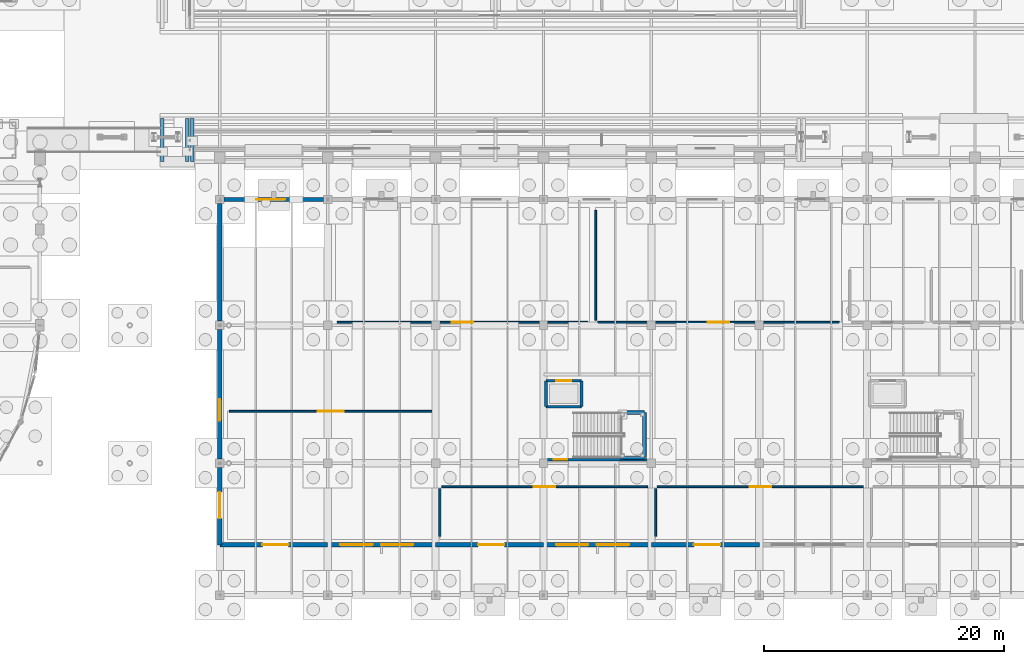
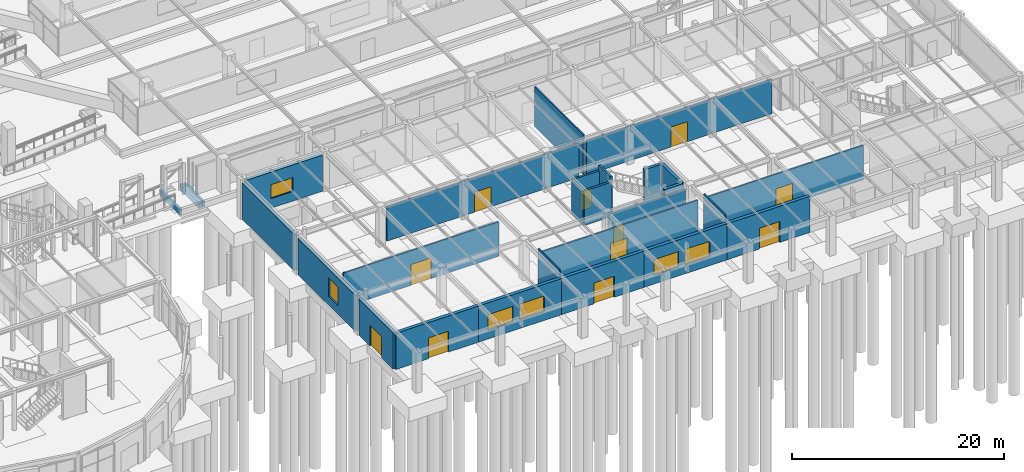
# One storey, part 107 of 160: 28 walls, 11 doors, 6 windows, 17 openings.
"""IFC4 building model written with IfcOpenShell, lengths in metres."""

import ifcopenshell
import ifcopenshell.guid

model = None  # the IFC model being written
_history = None  # IfcOwnerHistory: only IFC2X3 demands one
_inside = {}  # id of a spatial element -> (the spatial element, [elements in it])
_under = {}  # id of a project, library or spatial element -> (it, [spatial elements below it])
_declared = {}  # id of a project -> (the project, [libraries it declares])
_typed = {}  # id of a type object -> (the type object, [elements of that type])
_made_of = {}  # id of a material, layer set ... -> (it, [elements and type objects made of it])


def new_model(schema):
    """Start an empty IFC model of exactly this schema.

    Asked for "IFC4X3", IfcOpenShell would pick the latest addendum, in which some entities
    have other attributes; the version numbers below select the first issue.
    IFC2X3 requires an IfcOwnerHistory on every rooted entity: one is made here for all.
    """
    global model, _history
    if schema == "IFC4X3":
        model = ifcopenshell.file(schema_version=(4, 3, 0, 0))
    else:
        model = ifcopenshell.file(schema=schema)
    _inside.clear()
    _under.clear()
    _declared.clear()
    _typed.clear()
    _made_of.clear()
    _history = None
    if model.schema == "IFC2X3":
        org = make("IfcOrganization", Name="unknown")
        user = make(
            "IfcPersonAndOrganization",
            ThePerson=make("IfcPerson", FamilyName="unknown"),
            TheOrganization=org,
        )
        app = make(
            "IfcApplication",
            ApplicationDeveloper=org,
            Version="unknown",
            ApplicationFullName="unknown",
            ApplicationIdentifier="unknown",
        )
        _history = make(
            "IfcOwnerHistory",
            OwningUser=user,
            OwningApplication=app,
            ChangeAction="ADDED",
            CreationDate=0,
        )
    return model


def make(cls, **values):
    """One entity of the class cls with the attributes given. An attribute that is None is left unset."""
    return model.create_entity(
        cls, **{name: value for name, value in values.items() if value is not None}
    )


def rooted(cls, **values):
    """An entity with a GlobalId (a new one), such as an element, a storey or a relation."""
    return make(cls, GlobalId=ifcopenshell.guid.new(), OwnerHistory=_history, **values)


def si_unit(unit_type, name, prefix=None):
    """IfcSIUnit, for example si_unit("LENGTHUNIT", "METRE", prefix="MILLI")."""
    return make("IfcSIUnit", UnitType=unit_type, Prefix=prefix, Name=name)


def assignment(units):
    """IfcUnitAssignment: the units of a project."""
    return None if units is None else make("IfcUnitAssignment", Units=units)


def point(xyz):
    """IfcCartesianPoint."""
    return None if xyz is None else make("IfcCartesianPoint", Coordinates=xyz)


def direction(xyz):
    """IfcDirection."""
    return None if xyz is None else make("IfcDirection", DirectionRatios=xyz)


def frame(location, z_axis=None, x_axis=None):
    """IfcAxis2Placement3D, a coordinate frame: its origin and axes. An axis left out is left unset."""
    return make(
        "IfcAxis2Placement3D",
        Location=point(location),
        Axis=direction(z_axis),
        RefDirection=direction(x_axis),
    )


def frame_2d(location, x_axis=None):
    """IfcAxis2Placement2D, a coordinate frame in the plane: its origin and x axis."""
    return make(
        "IfcAxis2Placement2D", Location=point(location), RefDirection=direction(x_axis)
    )


def origin():
    """The frame at (0, 0, 0) with its axes left unset."""
    return frame((0.0, 0.0, 0.0))


def place(relative_to, where):
    """IfcLocalPlacement: puts the frame where relative to a parent placement (None: the world)."""
    return make(
        "IfcLocalPlacement", PlacementRelTo=relative_to, RelativePlacement=where
    )


def context(
    kind, dimensions, precision=None, world=None, true_north=None, identifier=None
):
    """IfcGeometricRepresentationContext, for example the 3D "Model" context."""
    return make(
        "IfcGeometricRepresentationContext",
        ContextIdentifier=identifier,
        ContextType=kind,
        CoordinateSpaceDimension=dimensions,
        Precision=precision,
        WorldCoordinateSystem=world,
        TrueNorth=true_north,
    )


def subcontext(parent, identifier, kind, view, scale=None):
    """IfcGeometricRepresentationSubContext, for example "Body" below "Model"."""
    return make(
        "IfcGeometricRepresentationSubContext",
        ContextIdentifier=identifier,
        ContextType=kind,
        ParentContext=parent,
        TargetScale=scale,
        TargetView=view,
    )


def project(units=None, contexts=None):
    """IfcProject with its units and contexts."""
    return rooted(
        "IfcProject",
        Name="project",
        RepresentationContexts=contexts,
        UnitsInContext=assignment(units),
    )


def spatial(cls, under=None, at=None, **own):
    """A site, building, storey or space (cls), placed at a placement, below another one or the project."""
    s = rooted(cls, ObjectPlacement=at, **own)
    if under is not None:
        _under.setdefault(under.id(), (under, []))[1].append(s)
    return s


def profile(cls, at=None, kind="AREA", **sizes):
    """A parametric profile (cls). Its sizes go by their IFC names, for example OverallWidth=200.0."""
    return make(cls, ProfileType=kind, Position=at, **sizes)


def rectangle(**sizes):
    """IfcRectangleProfileDef."""
    return profile("IfcRectangleProfileDef", **sizes)


def extrude(swept, where, along, depth):
    """IfcExtrudedAreaSolid: the profile swept, set in the frame where, extruded along a direction by depth."""
    return make(
        "IfcExtrudedAreaSolid",
        SweptArea=swept,
        Position=where,
        ExtrudedDirection=direction(along),
        Depth=depth,
    )


def shape(context_of_items, identifier, shape_type, items):
    """IfcShapeRepresentation: the items that make up one representation, for example the "Body"."""
    return make(
        "IfcShapeRepresentation",
        ContextOfItems=context_of_items,
        RepresentationIdentifier=identifier,
        RepresentationType=shape_type,
        Items=items,
    )


def material(Name=None, Category=None):
    """IfcMaterial."""
    return make("IfcMaterial", Name=Name, Category=Category)


def layer(
    of_material, thickness, ventilated=None, Name=None, Category=None, Priority=None
):
    """IfcMaterialLayer: one layer of a wall or slab, of a material (None: an air gap)."""
    return make(
        "IfcMaterialLayer",
        Material=of_material,
        LayerThickness=thickness,
        IsVentilated=ventilated,
        Name=Name,
        Category=Category,
        Priority=Priority,
    )


def layer_set(layers, Name=None):
    """IfcMaterialLayerSet."""
    return make("IfcMaterialLayerSet", MaterialLayers=layers, LayerSetName=Name)


def made_of(thing, what):
    """Note that an element or type object is made of a material, layer set ...; save() writes the relation."""
    if what is not None:
        _made_of.setdefault(what.id(), (what, []))[1].append(thing)
    return thing


def type_object(cls, material=None, **own):
    """A type object (cls), such as IfcWallType, which elements share."""
    return made_of(rooted(cls, **own), material)


def element(
    cls,
    number,
    at=None,
    inside=None,
    cuts=None,
    type_object=None,
    material=None,
    context=None,
    identifier="Body",
    shape_type=None,
    held_by="IfcProductDefinitionShape",
    body=None,
    shapes=None,
    **own,
):
    """One element of the class cls, such as IfcWall. Its Tag is "e" and its number.

    at: its placement. inside: the storey or other place that contains it. cuts: it is an
    opening in that element (IfcRelVoidsElement). A single representation is given by context,
    identifier, shape_type and body (its items); several are given by shapes. held_by: the class
    of the entity that holds the representations. save() writes the other relations.
    """
    e = rooted(cls, Tag="e%d" % number, ObjectPlacement=at, **own)
    if body is not None:
        shapes = [shape(context, identifier, shape_type, body)]
    if shapes is not None:
        e.Representation = make(held_by, Representations=shapes)
    if inside is not None:
        _inside.setdefault(inside.id(), (inside, []))[1].append(e)
    if cuts is not None:
        rooted(
            "IfcRelVoidsElement", RelatingBuildingElement=cuts, RelatedOpeningElement=e
        )
    if type_object is not None:
        _typed.setdefault(type_object.id(), (type_object, []))[1].append(e)
    return made_of(e, material)


def fill(opening, filler):
    """IfcRelFillsElement: the door or window that sits in an opening."""
    return rooted(
        "IfcRelFillsElement",
        RelatingOpeningElement=opening,
        RelatedBuildingElement=filler,
    )


def aggregate(whole, parts):
    """IfcRelAggregates: a whole, such as a stair, and the parts it consists of."""
    return rooted("IfcRelAggregates", RelatingObject=whole, RelatedObjects=parts)


def save(model, path):
    """Write the relations noted so far, then the file.

    IfcRelAggregates (storeys below a building ...), IfcRelContainedInSpatialStructure (elements
    in a storey), IfcRelDefinesByType, IfcRelAssociatesMaterial and IfcRelDeclares: one each for
    every whole, place, type object, material and project.
    """
    for whole, parts in _under.values():
        aggregate(whole, parts)
    for where, things in _inside.values():
        rooted(
            "IfcRelContainedInSpatialStructure",
            RelatedElements=things,
            RelatingStructure=where,
        )
    for kind, things in _typed.values():
        rooted("IfcRelDefinesByType", RelatedObjects=things, RelatingType=kind)
    for what, things in _made_of.values():
        rooted("IfcRelAssociatesMaterial", RelatedObjects=things, RelatingMaterial=what)
    for by, libraries in _declared.values():
        rooted("IfcRelDeclares", RelatingContext=by, RelatedDefinitions=libraries)
    model.write(path)


model = new_model("IFC4")

# Units and contexts
model_context = context("Model", 3, precision=1e-05, world=origin(), true_north=direction((0.0, 1.0)))
body_context = subcontext(model_context, "Body", "Model", "MODEL_VIEW")
ifc_project = project(units=[si_unit("LENGTHUNIT", "METRE"), si_unit("AREAUNIT", "SQUARE_METRE"), si_unit("VOLUMEUNIT", "CUBIC_METRE"), si_unit("PLANEANGLEUNIT", "RADIAN"), si_unit("MASSUNIT", "GRAM", prefix="KILO")], contexts=[model_context])

# Site, building, storey
site_placement = place(None, origin())
site = spatial("IfcSite", under=ifc_project, at=site_placement, CompositionType="ELEMENT")
building_placement = place(site_placement, origin())
building = spatial("IfcBuilding", under=site, at=building_placement, Name="Marlcrest Central Station", CompositionType="ELEMENT")
storey_placement = place(building_placement, origin())
storey = spatial("IfcBuildingStorey", under=building, at=storey_placement, Name="L00", CompositionType="ELEMENT", Elevation=0.0)

# Wall, opening, door
ifc_material_1 = material(Name="St. Thomas limestone on Concrete C40/50", Category="masonry")
ifc_layer_1 = layer(ifc_material_1, 0.360107421875, Name="EW-06")
ifc_layer_set_1 = layer_set([ifc_layer_1], Name="St. Thomas limestone on Concrete C40/50")
wall_type_1 = type_object("IfcWallType", Name="EW-06", PredefinedType="SOLIDWALL", material=ifc_layer_set_1)
wall_1_placement = place(storey_placement, frame((153.0, 4.199951171875, 0.0), z_axis=(0.0, 0.0, 1.0), x_axis=(-1.0, 0.0, 0.0)))
wall_1 = element("IfcWall", 1, at=wall_1_placement, inside=storey, type_object=wall_type_1, Name="ewall-L00-0037", PredefinedType="SOLIDWALL", context=body_context, shape_type="SweptSolid", body=[
    extrude(rectangle(XDim=9.0, YDim=0.360107421875, at=frame_2d((4.5, 0.0))), origin(), (0.0, 0.0, 1.0), 4.14990234375),
])
opening_1_placement = place(wall_1_placement, frame((3.25, 0.0, 0.0)))
opening_1 = element("IfcOpeningElement", 2, at=opening_1_placement, cuts=wall_1, Name="Opening ED-01", PredefinedType="OPENING", context=body_context, shape_type="SweptSolid", body=[
    extrude(rectangle(XDim=2.199951171875, YDim=2.39990234375, at=frame_2d((1.10009765625, 1.199951171875))), frame((0.0, 0.18994140625, 0.0), z_axis=(0.0, -1.0, 0.0), x_axis=(1.0, 0.0, 0.0)), (0.0, 0.0, 1.0), 0.380126953125),
])
ifc_material_2 = material(Name="Thermally broken anodised aluminium and laminated safety glass", Category="aluminium")
door_type_1 = type_object("IfcDoorType", Name="ED-01", OperationType="DOUBLE_DOOR_SINGLE_SWING", PredefinedType="DOOR", material=ifc_material_2)
door_1_placement = place(opening_1_placement, origin())
door_1 = element("IfcDoor", 3, at=door_1_placement, inside=storey, type_object=door_type_1, Name="Retail Arcade Street Exit Door 021", OperationType="DOUBLE_DOOR_SINGLE_SWING", OverallHeight=2.39990234375, OverallWidth=2.199951171875, PredefinedType="DOOR", context=body_context, shape_type="SweptSolid", body=[
    extrude(rectangle(XDim=2.199951171875, YDim=2.39990234375, at=frame_2d((1.10009765625, 1.199951171875))), frame((0.0, 0.02490234375, 0.0), z_axis=(0.0, -1.0, 0.0), x_axis=(1.0, 0.0, 0.0)), (0.0, 0.0, 1.0), 0.050048828125),
])
fill(opening_1, door_1)

# Wall, opening, window
wall_2_placement = place(storey_placement, frame((144.35009765625, 33.0, 0.0), z_axis=(0.0, 0.0, 1.0), x_axis=(1.0, 0.0, 0.0)))
wall_2 = element("IfcWall", 4, at=wall_2_placement, inside=storey, type_object=wall_type_1, Name="ewall-L00-0038", PredefinedType="SOLIDWALL", context=body_context, shape_type="SweptSolid", body=[
    extrude(rectangle(XDim=8.2998046875, YDim=0.360107421875, at=frame_2d((4.14990234375, 0.0))), origin(), (0.0, 0.0, 1.0), 4.14990234375),
])
opening_2_placement = place(wall_2_placement, frame((2.699951171875, 0.0, 1.10009765625)))
opening_2 = element("IfcOpeningElement", 5, at=opening_2_placement, cuts=wall_2, Name="Opening WN-02", PredefinedType="OPENING", context=body_context, shape_type="SweptSolid", body=[
    extrude(rectangle(XDim=2.39990234375, YDim=1.60009765625, at=frame_2d((1.199951171875, 0.800048828125))), frame((0.0, 0.18994140625, 0.0), z_axis=(0.0, -1.0, 0.0), x_axis=(1.0, 0.0, 0.0)), (0.0, 0.0, 1.0), 0.380126953125),
])
ifc_material_3 = material(Name="Thermally broken bronze-anodised aluminium and laminated low-E glass", Category="aluminium")
window_type_1 = type_object("IfcWindowType", Name="WN-02", PartitioningType="SINGLE_PANEL", PredefinedType="WINDOW", material=ifc_material_3)
window_1_placement = place(opening_2_placement, origin())
window_1 = element("IfcWindow", 6, at=window_1_placement, inside=storey, type_object=window_type_1, Name="ewin-L00-0007", OverallHeight=1.60009765625, OverallWidth=2.39990234375, PartitioningType="SINGLE_PANEL", PredefinedType="WINDOW", context=body_context, shape_type="SweptSolid", body=[
    extrude(rectangle(XDim=2.39990234375, YDim=1.60009765625, at=frame_2d((1.199951171875, 0.800048828125))), frame((0.0, 0.030029296875, 0.0), z_axis=(0.0, -1.0, 0.0), x_axis=(1.0, 0.0, 0.0)), (0.0, 0.0, 1.0), 0.06005859375),
])
fill(opening_2, window_1)

# Wall, openings, windows
wall_3_placement = place(storey_placement, frame((162.0, 4.199951171875, 0.0), z_axis=(0.0, 0.0, 1.0), x_axis=(-1.0, 0.0, 0.0)))
wall_3 = element("IfcWall", 7, at=wall_3_placement, inside=storey, type_object=wall_type_1, Name="ewall-L00-0039", PredefinedType="SOLIDWALL", context=body_context, shape_type="SweptSolid", body=[
    extrude(rectangle(XDim=9.0, YDim=0.360107421875, at=frame_2d((4.5, 0.0))), origin(), (0.0, 0.0, 1.0), 4.14990234375),
])
opening_3_placement = place(wall_3_placement, frame((1.85009765625, 0.0, 1.0)))
opening_3 = element("IfcOpeningElement", 8, at=opening_3_placement, cuts=wall_3, Name="Opening WN-06", PredefinedType="OPENING", context=body_context, shape_type="SweptSolid", body=[
    extrude(rectangle(XDim=2.699951171875, YDim=1.800048828125, at=frame_2d((1.35009765625, 0.89990234375))), frame((0.0, 0.18994140625, 0.0), z_axis=(0.0, -1.0, 0.0), x_axis=(1.0, 0.0, 0.0)), (0.0, 0.0, 1.0), 0.380126953125),
])
opening_4_placement = place(wall_3_placement, frame((5.25, 0.0, 1.0)))
opening_4 = element("IfcOpeningElement", 9, at=opening_4_placement, cuts=wall_3, Name="Opening WN-06", PredefinedType="OPENING", context=body_context, shape_type="SweptSolid", body=[
    extrude(rectangle(XDim=2.699951171875, YDim=1.800048828125, at=frame_2d((1.35009765625, 0.89990234375))), frame((0.0, 0.18994140625, 0.0), z_axis=(0.0, -1.0, 0.0), x_axis=(1.0, 0.0, 0.0)), (0.0, 0.0, 1.0), 0.380126953125),
])
window_type_2 = type_object("IfcWindowType", Name="WN-06", PartitioningType="SINGLE_PANEL", PredefinedType="WINDOW", material=ifc_material_3)
window_2_placement = place(opening_3_placement, origin())
window_2 = element("IfcWindow", 10, at=window_2_placement, inside=storey, type_object=window_type_2, Name="ewin-L00-0008", OverallHeight=1.800048828125, OverallWidth=2.699951171875, PartitioningType="SINGLE_PANEL", PredefinedType="WINDOW", context=body_context, shape_type="SweptSolid", body=[
    extrude(rectangle(XDim=2.699951171875, YDim=1.800048828125, at=frame_2d((1.35009765625, 0.89990234375))), frame((0.0, 0.030029296875, 0.0), z_axis=(0.0, -1.0, 0.0), x_axis=(1.0, 0.0, 0.0)), (0.0, 0.0, 1.0), 0.06005859375),
])
fill(opening_3, window_2)
window_3_placement = place(opening_4_placement, origin())
window_3 = element("IfcWindow", 11, at=window_3_placement, inside=storey, type_object=window_type_2, Name="ewin-L00-0009", OverallHeight=1.800048828125, OverallWidth=2.699951171875, PartitioningType="SINGLE_PANEL", PredefinedType="WINDOW", context=body_context, shape_type="SweptSolid", body=[
    extrude(rectangle(XDim=2.699951171875, YDim=1.800048828125, at=frame_2d((1.35009765625, 0.89990234375))), frame((0.0, 0.030029296875, 0.0), z_axis=(0.0, -1.0, 0.0), x_axis=(1.0, 0.0, 0.0)), (0.0, 0.0, 1.0), 0.06005859375),
])
fill(opening_4, window_3)

# Wall, opening, door
wall_4_placement = place(storey_placement, frame((171.0, 4.199951171875, 0.0), z_axis=(0.0, 0.0, 1.0), x_axis=(-1.0, 0.0, 0.0)))
wall_4 = element("IfcWall", 12, at=wall_4_placement, inside=storey, type_object=wall_type_1, Name="ewall-L00-0041", PredefinedType="SOLIDWALL", context=body_context, shape_type="SweptSolid", body=[
    extrude(rectangle(XDim=9.0, YDim=0.360107421875, at=frame_2d((4.5, 0.0))), origin(), (0.0, 0.0, 1.0), 4.14990234375),
])
opening_5_placement = place(wall_4_placement, frame((3.25, 0.0, 0.0)))
opening_5 = element("IfcOpeningElement", 13, at=opening_5_placement, cuts=wall_4, Name="Opening ED-01", PredefinedType="OPENING", context=body_context, shape_type="SweptSolid", body=[
    extrude(rectangle(XDim=2.199951171875, YDim=2.39990234375, at=frame_2d((1.10009765625, 1.199951171875))), frame((0.0, 0.18994140625, 0.0), z_axis=(0.0, -1.0, 0.0), x_axis=(1.0, 0.0, 0.0)), (0.0, 0.0, 1.0), 0.380126953125),
])
door_2_placement = place(opening_5_placement, origin())
door_2 = element("IfcDoor", 14, at=door_2_placement, inside=storey, type_object=door_type_1, Name="Retail Arcade Street Exit Door 022", OperationType="DOUBLE_DOOR_SINGLE_SWING", OverallHeight=2.39990234375, OverallWidth=2.199951171875, PredefinedType="DOOR", context=body_context, shape_type="SweptSolid", body=[
    extrude(rectangle(XDim=2.199951171875, YDim=2.39990234375, at=frame_2d((1.10009765625, 1.199951171875))), frame((0.0, 0.02490234375, 0.0), z_axis=(0.0, -1.0, 0.0), x_axis=(1.0, 0.0, 0.0)), (0.0, 0.0, 1.0), 0.050048828125),
])
fill(opening_5, door_2)

# Wall, openings, windows
wall_5_placement = place(storey_placement, frame((180.0, 4.199951171875, 0.0), z_axis=(0.0, 0.0, 1.0), x_axis=(-1.0, 0.0, 0.0)))
wall_5 = element("IfcWall", 15, at=wall_5_placement, inside=storey, type_object=wall_type_1, Name="ewall-L00-0043", PredefinedType="SOLIDWALL", context=body_context, shape_type="SweptSolid", body=[
    extrude(rectangle(XDim=9.0, YDim=0.360107421875, at=frame_2d((4.5, 0.0))), origin(), (0.0, 0.0, 1.0), 4.14990234375),
])
opening_6_placement = place(wall_5_placement, frame((1.85009765625, 0.0, 1.0)))
opening_6 = element("IfcOpeningElement", 16, at=opening_6_placement, cuts=wall_5, Name="Opening WN-06", PredefinedType="OPENING", context=body_context, shape_type="SweptSolid", body=[
    extrude(rectangle(XDim=2.699951171875, YDim=1.800048828125, at=frame_2d((1.35009765625, 0.89990234375))), frame((0.0, 0.18994140625, 0.0), z_axis=(0.0, -1.0, 0.0), x_axis=(1.0, 0.0, 0.0)), (0.0, 0.0, 1.0), 0.380126953125),
])
opening_7_placement = place(wall_5_placement, frame((5.25, 0.0, 1.0)))
opening_7 = element("IfcOpeningElement", 17, at=opening_7_placement, cuts=wall_5, Name="Opening WN-06", PredefinedType="OPENING", context=body_context, shape_type="SweptSolid", body=[
    extrude(rectangle(XDim=2.699951171875, YDim=1.800048828125, at=frame_2d((1.35009765625, 0.89990234375))), frame((0.0, 0.18994140625, 0.0), z_axis=(0.0, -1.0, 0.0), x_axis=(1.0, 0.0, 0.0)), (0.0, 0.0, 1.0), 0.380126953125),
])
window_4_placement = place(opening_6_placement, origin())
window_4 = element("IfcWindow", 18, at=window_4_placement, inside=storey, type_object=window_type_2, Name="ewin-L00-0012", OverallHeight=1.800048828125, OverallWidth=2.699951171875, PartitioningType="SINGLE_PANEL", PredefinedType="WINDOW", context=body_context, shape_type="SweptSolid", body=[
    extrude(rectangle(XDim=2.699951171875, YDim=1.800048828125, at=frame_2d((1.35009765625, 0.89990234375))), frame((0.0, 0.030029296875, 0.0), z_axis=(0.0, -1.0, 0.0), x_axis=(1.0, 0.0, 0.0)), (0.0, 0.0, 1.0), 0.06005859375),
])
fill(opening_6, window_4)
window_5_placement = place(opening_7_placement, origin())
window_5 = element("IfcWindow", 19, at=window_5_placement, inside=storey, type_object=window_type_2, Name="ewin-L00-0013", OverallHeight=1.800048828125, OverallWidth=2.699951171875, PartitioningType="SINGLE_PANEL", PredefinedType="WINDOW", context=body_context, shape_type="SweptSolid", body=[
    extrude(rectangle(XDim=2.699951171875, YDim=1.800048828125, at=frame_2d((1.35009765625, 0.89990234375))), frame((0.0, 0.030029296875, 0.0), z_axis=(0.0, -1.0, 0.0), x_axis=(1.0, 0.0, 0.0)), (0.0, 0.0, 1.0), 0.06005859375),
])
fill(opening_7, window_5)

# Wall, opening, door
wall_6_placement = place(storey_placement, frame((189.0, 4.199951171875, 0.0), z_axis=(0.0, 0.0, 1.0), x_axis=(-1.0, 0.0, 0.0)))
wall_6 = element("IfcWall", 20, at=wall_6_placement, inside=storey, type_object=wall_type_1, Name="ewall-L00-0045", PredefinedType="SOLIDWALL", context=body_context, shape_type="SweptSolid", body=[
    extrude(rectangle(XDim=9.0, YDim=0.360107421875, at=frame_2d((4.5, 0.0))), origin(), (0.0, 0.0, 1.0), 4.14990234375),
])
opening_8_placement = place(wall_6_placement, frame((3.25, 0.0, 0.0)))
opening_8 = element("IfcOpeningElement", 21, at=opening_8_placement, cuts=wall_6, Name="Opening ED-01", PredefinedType="OPENING", context=body_context, shape_type="SweptSolid", body=[
    extrude(rectangle(XDim=2.199951171875, YDim=2.39990234375, at=frame_2d((1.10009765625, 1.199951171875))), frame((0.0, 0.18994140625, 0.0), z_axis=(0.0, -1.0, 0.0), x_axis=(1.0, 0.0, 0.0)), (0.0, 0.0, 1.0), 0.380126953125),
])
door_3_placement = place(opening_8_placement, origin())
door_3 = element("IfcDoor", 22, at=door_3_placement, inside=storey, type_object=door_type_1, Name="Retail Arcade Street Exit Door 024", OperationType="DOUBLE_DOOR_SINGLE_SWING", OverallHeight=2.39990234375, OverallWidth=2.199951171875, PredefinedType="DOOR", context=body_context, shape_type="SweptSolid", body=[
    extrude(rectangle(XDim=2.199951171875, YDim=2.39990234375, at=frame_2d((1.10009765625, 1.199951171875))), frame((0.0, 0.02490234375, 0.0), z_axis=(0.0, -1.0, 0.0), x_axis=(1.0, 0.0, 0.0)), (0.0, 0.0, 1.0), 0.050048828125),
])
fill(opening_8, door_3)

wall_7_placement = place(storey_placement, frame((144.0, 4.199951171875, 0.0), z_axis=(0.0, 0.0, 1.0), x_axis=(0.0, 1.0, 0.0)))
wall_7 = element("IfcWall", 23, at=wall_7_placement, inside=storey, type_object=wall_type_1, Name="ewall-L00-0053", PredefinedType="SOLIDWALL", context=body_context, shape_type="SweptSolid", body=[
    extrude(rectangle(XDim=6.449951171875, YDim=0.360107421875, at=frame_2d((3.22509765625, 0.0))), origin(), (0.0, 0.0, 1.0), 4.14990234375),
])
opening_9_placement = place(wall_7_placement, frame((2.199951171875, 0.0, 0.0)))
opening_9 = element("IfcOpeningElement", 24, at=opening_9_placement, cuts=wall_7, Name="Opening ED-01", PredefinedType="OPENING", context=body_context, shape_type="SweptSolid", body=[
    extrude(rectangle(XDim=2.199951171875, YDim=2.39990234375, at=frame_2d((1.10009765625, 1.199951171875))), frame((0.0, 0.18994140625, 0.0), z_axis=(0.0, -1.0, 0.0), x_axis=(1.0, 0.0, 0.0)), (0.0, 0.0, 1.0), 0.380126953125),
])
door_4_placement = place(opening_9_placement, origin())
door_4 = element("IfcDoor", 25, at=door_4_placement, inside=storey, type_object=door_type_1, Name="Rainwater Court Retail Exit Door 028", OperationType="DOUBLE_DOOR_SINGLE_SWING", OverallHeight=2.39990234375, OverallWidth=2.199951171875, PredefinedType="DOOR", context=body_context, shape_type="SweptSolid", body=[
    extrude(rectangle(XDim=2.199951171875, YDim=2.39990234375, at=frame_2d((1.10009765625, 1.199951171875))), frame((0.0, 0.02490234375, 0.0), z_axis=(0.0, -1.0, 0.0), x_axis=(1.0, 0.0, 0.0)), (0.0, 0.0, 1.0), 0.050048828125),
])
fill(opening_9, door_4)

# Wall, opening, window
wall_8_placement = place(storey_placement, frame((144.0, 11.35009765625, 0.0), z_axis=(0.0, 0.0, 1.0), x_axis=(0.0, 1.0, 0.0)))
wall_8 = element("IfcWall", 26, at=wall_8_placement, inside=storey, type_object=wall_type_1, Name="ewall-L00-0055", PredefinedType="SOLIDWALL", context=body_context, shape_type="SweptSolid", body=[
    extrude(rectangle(XDim=10.7998046875, YDim=0.360107421875, at=frame_2d((5.39990234375, 0.0))), origin(), (0.0, 0.0, 1.0), 4.14990234375),
])
opening_10_placement = place(wall_8_placement, frame((3.199951171875, 0.0, 1.0)))
opening_10 = element("IfcOpeningElement", 27, at=opening_10_placement, cuts=wall_8, Name="Opening WN-09", PredefinedType="OPENING", context=body_context, shape_type="SweptSolid", body=[
    extrude(rectangle(XDim=1.800048828125, YDim=2.10009765625, at=frame_2d((0.89990234375, 1.050048828125))), frame((0.0, 0.18994140625, 0.0), z_axis=(0.0, -1.0, 0.0), x_axis=(1.0, 0.0, 0.0)), (0.0, 0.0, 1.0), 0.380126953125),
])
window_type_3 = type_object("IfcWindowType", Name="WN-09", PartitioningType="SINGLE_PANEL", PredefinedType="WINDOW", material=ifc_material_3)
window_6_placement = place(opening_10_placement, origin())
window_6 = element("IfcWindow", 28, at=window_6_placement, inside=storey, type_object=window_type_3, Name="ewin-L00-0020", OverallHeight=2.10009765625, OverallWidth=1.800048828125, PartitioningType="SINGLE_PANEL", PredefinedType="WINDOW", context=body_context, shape_type="SweptSolid", body=[
    extrude(rectangle(XDim=1.800048828125, YDim=2.10009765625, at=frame_2d((0.89990234375, 1.050048828125))), frame((0.0, 0.030029296875, 0.0), z_axis=(0.0, -1.0, 0.0), x_axis=(1.0, 0.0, 0.0)), (0.0, 0.0, 1.0), 0.06005859375),
])
fill(opening_10, window_6)

# Wall
wall_9_placement = place(storey_placement, frame((144.0, 22.85009765625, 0.0), z_axis=(0.0, 0.0, 1.0), x_axis=(0.0, 1.0, 0.0)))
element("IfcWall", 29, at=wall_9_placement, inside=storey, type_object=wall_type_1, Name="ewall-L00-0057", PredefinedType="SOLIDWALL", context=body_context, shape_type="SweptSolid", body=[
    extrude(rectangle(XDim=9.7998046875, YDim=0.360107421875, at=frame_2d((4.89990234375, 0.0))), origin(), (0.0, 0.0, 1.0), 4.14990234375),
])

# Wall, opening, door
ifc_material_4 = material(Name="Retail tenancy demising partition")
ifc_layer_2 = layer(ifc_material_4, 0.14990234375, Name="PT-05")
ifc_layer_set_2 = layer_set([ifc_layer_2], Name="Retail tenancy demising partition")
wall_type_2 = type_object("IfcWallType", Name="PT-05", PredefinedType="PARTITIONING", material=ifc_layer_set_2)
wall_10_placement = place(storey_placement, frame((144.81005859375, 15.340087890625, 0.0), z_axis=(0.0, 0.0, 1.0), x_axis=(1.0, 0.0, 0.0)))
wall_10 = element("IfcWall", 30, at=wall_10_placement, inside=storey, type_object=wall_type_2, Name="iwall-L00-00036", PredefinedType="PARTITIONING", context=body_context, shape_type="SweptSolid", body=[
    extrude(rectangle(XDim=16.8798828125, YDim=0.14990234375, at=frame_2d((8.43994140625, 0.0))), origin(), (0.0, 0.0, 1.0), 3.97509765625),
])
opening_11_placement = place(wall_10_placement, frame((7.364990234375, 0.0, 0.0)))
opening_11 = element("IfcOpeningElement", 31, at=opening_11_placement, cuts=wall_10, Name="Opening ID-12", PredefinedType="OPENING", context=body_context, shape_type="SweptSolid", body=[
    extrude(rectangle(XDim=2.14990234375, YDim=2.39990234375, at=frame_2d((1.074951171875, 1.199951171875))), frame((0.0, 0.0849609375, 0.0), z_axis=(0.0, -1.0, 0.0), x_axis=(1.0, 0.0, 0.0)), (0.0, 0.0, 1.0), 0.169921875),
])
ifc_material_5 = material(Name="Double concourse retail storefront door")
door_type_2 = type_object("IfcDoorType", Name="ID-12", OperationType="DOUBLE_DOOR_SINGLE_SWING", PredefinedType="DOOR", material=ifc_material_5)
door_5_placement = place(opening_11_placement, origin())
door_5 = element("IfcDoor", 32, at=door_5_placement, inside=storey, type_object=door_type_2, Name="L00-V4A 0024", OperationType="DOUBLE_DOOR_SINGLE_SWING", OverallHeight=2.39990234375, OverallWidth=2.14990234375, PredefinedType="DOOR", context=body_context, shape_type="SweptSolid", body=[
    extrude(rectangle(XDim=2.14990234375, YDim=2.39990234375, at=frame_2d((1.074951171875, 1.199951171875))), frame((0.0, 0.02490234375, 0.0), z_axis=(0.0, -1.0, 0.0), x_axis=(1.0, 0.0, 0.0)), (0.0, 0.0, 1.0), 0.050048828125),
])
fill(opening_11, door_5)

wall_11_placement = place(storey_placement, frame((162.510009765625, 9.0400390625, 0.0), z_axis=(0.0, 0.0, 1.0), x_axis=(1.0, 0.0, 0.0)))
wall_11 = element("IfcWall", 33, at=wall_11_placement, inside=storey, type_object=wall_type_2, Name="iwall-L00-00037", PredefinedType="PARTITIONING", context=body_context, shape_type="SweptSolid", body=[
    extrude(rectangle(XDim=17.179931640625, YDim=0.14990234375, at=frame_2d((8.58984375, 0.0))), origin(), (0.0, 0.0, 1.0), 3.97509765625),
])
opening_12_placement = place(wall_11_placement, frame((7.68994140625, 0.0, 0.0)))
opening_12 = element("IfcOpeningElement", 34, at=opening_12_placement, cuts=wall_11, Name="Opening ID-06", PredefinedType="OPENING", context=body_context, shape_type="SweptSolid", body=[
    extrude(rectangle(XDim=1.800048828125, YDim=2.300048828125, at=frame_2d((0.89990234375, 1.14990234375))), frame((0.0, 0.0849609375, 0.0), z_axis=(0.0, -1.0, 0.0), x_axis=(1.0, 0.0, 0.0)), (0.0, 0.0, 1.0), 0.169921875),
])
ifc_material_6 = material(Name="Double retail and cafe entrance door")
door_type_3 = type_object("IfcDoorType", Name="ID-06", OperationType="DOUBLE_DOOR_SINGLE_SWING", PredefinedType="DOOR", material=ifc_material_6)
door_6_placement = place(opening_12_placement, origin())
door_6 = element("IfcDoor", 35, at=door_6_placement, inside=storey, type_object=door_type_3, Name="L00-V4B 0025", OperationType="DOUBLE_DOOR_SINGLE_SWING", OverallHeight=2.300048828125, OverallWidth=1.800048828125, PredefinedType="DOOR", context=body_context, shape_type="SweptSolid", body=[
    extrude(rectangle(XDim=1.800048828125, YDim=2.300048828125, at=frame_2d((0.89990234375, 1.14990234375))), frame((0.0, 0.02490234375, 0.0), z_axis=(0.0, -1.0, 0.0), x_axis=(1.0, 0.0, 0.0)), (0.0, 0.0, 1.0), 0.050048828125),
])
fill(opening_12, door_6)

# Wall
wall_12_placement = place(storey_placement, frame((162.360107421875, 4.909912109375, 0.0), z_axis=(0.0, 0.0, 1.0), x_axis=(0.0, 1.0, 0.0)))
element("IfcWall", 36, at=wall_12_placement, inside=storey, type_object=wall_type_2, Name="iwall-L00-00038", PredefinedType="PARTITIONING", context=body_context, shape_type="SweptSolid", body=[
    extrude(rectangle(XDim=3.97998046875, YDim=0.14990234375, at=frame_2d((1.989990234375, 0.0))), origin(), (0.0, 0.0, 1.0), 4.550048828125),
])

# Wall, opening, door
wall_13_placement = place(storey_placement, frame((180.510009765625, 9.0400390625, 0.0), z_axis=(0.0, 0.0, 1.0), x_axis=(1.0, 0.0, 0.0)))
wall_13 = element("IfcWall", 37, at=wall_13_placement, inside=storey, type_object=wall_type_2, Name="iwall-L00-00039", PredefinedType="PARTITIONING", context=body_context, shape_type="SweptSolid", body=[
    extrude(rectangle(XDim=17.179931640625, YDim=0.14990234375, at=frame_2d((8.58984375, 0.0))), origin(), (0.0, 0.0, 1.0), 3.97509765625),
])
opening_13_placement = place(wall_13_placement, frame((7.68994140625, 0.0, 0.0)))
opening_13 = element("IfcOpeningElement", 38, at=opening_13_placement, cuts=wall_13, Name="Opening ID-06", PredefinedType="OPENING", context=body_context, shape_type="SweptSolid", body=[
    extrude(rectangle(XDim=1.800048828125, YDim=2.300048828125, at=frame_2d((0.89990234375, 1.14990234375))), frame((0.0, 0.0849609375, 0.0), z_axis=(0.0, -1.0, 0.0), x_axis=(1.0, 0.0, 0.0)), (0.0, 0.0, 1.0), 0.169921875),
])
door_7_placement = place(opening_13_placement, origin())
door_7 = element("IfcDoor", 39, at=door_7_placement, inside=storey, type_object=door_type_3, Name="L00-V4C 0026", OperationType="DOUBLE_DOOR_SINGLE_SWING", OverallHeight=2.300048828125, OverallWidth=1.800048828125, PredefinedType="DOOR", context=body_context, shape_type="SweptSolid", body=[
    extrude(rectangle(XDim=1.800048828125, YDim=2.300048828125, at=frame_2d((0.89990234375, 1.14990234375))), frame((0.0, 0.02490234375, 0.0), z_axis=(0.0, -1.0, 0.0), x_axis=(1.0, 0.0, 0.0)), (0.0, 0.0, 1.0), 0.050048828125),
])
fill(opening_13, door_7)

# Wall
wall_14_placement = place(storey_placement, frame((180.360107421875, 4.909912109375, 0.0), z_axis=(0.0, 0.0, 1.0), x_axis=(0.0, 1.0, 0.0)))
element("IfcWall", 40, at=wall_14_placement, inside=storey, type_object=wall_type_2, Name="iwall-L00-00040", PredefinedType="PARTITIONING", context=body_context, shape_type="SweptSolid", body=[
    extrude(rectangle(XDim=3.97998046875, YDim=0.14990234375, at=frame_2d((1.989990234375, 0.0))), origin(), (0.0, 0.0, 1.0), 4.550048828125),
])

# Wall, opening, door
wall_15_placement = place(storey_placement, frame((174.68994140625, 22.760009765625, 0.0), z_axis=(0.0, 0.0, 1.0), x_axis=(-1.0, 0.0, 0.0)))
wall_15 = element("IfcWall", 41, at=wall_15_placement, inside=storey, type_object=wall_type_2, Name="iwall-L00-00043", PredefinedType="PARTITIONING", context=body_context, shape_type="SweptSolid", body=[
    extrude(rectangle(XDim=20.8798828125, YDim=0.14990234375, at=frame_2d((10.43994140625, 0.0))), origin(), (0.0, 0.0, 1.0), 3.97509765625),
])
opening_14_placement = place(wall_15_placement, frame((9.5400390625, 0.0, 0.0)))
opening_14 = element("IfcOpeningElement", 42, at=opening_14_placement, cuts=wall_15, Name="Opening ID-06", PredefinedType="OPENING", context=body_context, shape_type="SweptSolid", body=[
    extrude(rectangle(XDim=1.800048828125, YDim=2.300048828125, at=frame_2d((0.89990234375, 1.14990234375))), frame((0.0, 0.0849609375, 0.0), z_axis=(0.0, -1.0, 0.0), x_axis=(1.0, 0.0, 0.0)), (0.0, 0.0, 1.0), 0.169921875),
])
door_8_placement = place(opening_14_placement, origin())
door_8 = element("IfcDoor", 43, at=door_8_placement, inside=storey, type_object=door_type_3, Name="L00-V4F 0028", OperationType="DOUBLE_DOOR_SINGLE_SWING", OverallHeight=2.300048828125, OverallWidth=1.800048828125, PredefinedType="DOOR", context=body_context, shape_type="SweptSolid", body=[
    extrude(rectangle(XDim=1.800048828125, YDim=2.300048828125, at=frame_2d((0.89990234375, 1.14990234375))), frame((0.0, 0.02490234375, 0.0), z_axis=(0.0, -1.0, 0.0), x_axis=(1.0, 0.0, 0.0)), (0.0, 0.0, 1.0), 0.050048828125),
])
fill(opening_14, door_8)

wall_16_placement = place(storey_placement, frame((195.68994140625, 22.760009765625, 0.0), z_axis=(0.0, 0.0, 1.0), x_axis=(-1.0, 0.0, 0.0)))
wall_16 = element("IfcWall", 44, at=wall_16_placement, inside=storey, type_object=wall_type_2, Name="iwall-L00-00044", PredefinedType="PARTITIONING", context=body_context, shape_type="SweptSolid", body=[
    extrude(rectangle(XDim=20.179931640625, YDim=0.14990234375, at=frame_2d((10.08984375, 0.0))), origin(), (0.0, 0.0, 1.0), 3.97509765625),
])
opening_15_placement = place(wall_16_placement, frame((9.18994140625, 0.0, 0.0)))
opening_15 = element("IfcOpeningElement", 45, at=opening_15_placement, cuts=wall_16, Name="Opening ID-06", PredefinedType="OPENING", context=body_context, shape_type="SweptSolid", body=[
    extrude(rectangle(XDim=1.800048828125, YDim=2.300048828125, at=frame_2d((0.89990234375, 1.14990234375))), frame((0.0, 0.0849609375, 0.0), z_axis=(0.0, -1.0, 0.0), x_axis=(1.0, 0.0, 0.0)), (0.0, 0.0, 1.0), 0.169921875),
])
door_9_placement = place(opening_15_placement, origin())
door_9 = element("IfcDoor", 46, at=door_9_placement, inside=storey, type_object=door_type_3, Name="L00-V4G 0029", OperationType="DOUBLE_DOOR_SINGLE_SWING", OverallHeight=2.300048828125, OverallWidth=1.800048828125, PredefinedType="DOOR", context=body_context, shape_type="SweptSolid", body=[
    extrude(rectangle(XDim=1.800048828125, YDim=2.300048828125, at=frame_2d((0.89990234375, 1.14990234375))), frame((0.0, 0.02490234375, 0.0), z_axis=(0.0, -1.0, 0.0), x_axis=(1.0, 0.0, 0.0)), (0.0, 0.0, 1.0), 0.050048828125),
])
fill(opening_15, door_9)

# Walls
wall_17_placement = place(storey_placement, frame((175.360107421875, 22.909912109375, 0.0), z_axis=(0.0, 0.0, 1.0), x_axis=(0.0, 1.0, 0.0)))
element("IfcWall", 47, at=wall_17_placement, inside=storey, type_object=wall_type_2, Name="iwall-L00-00045", PredefinedType="PARTITIONING", context=body_context, shape_type="SweptSolid", body=[
    extrude(rectangle(XDim=9.18017578125, YDim=0.14990234375, at=frame_2d((4.590087890625, 0.0))), origin(), (0.0, 0.0, 1.0), 4.550048828125),
])
ifc_material_7 = material(Name="Concrete C35/45", Category="concrete")
ifc_layer_3 = layer(ifc_material_7, 0.27490234375, Name="PW-01")
ifc_layer_set_3 = layer_set([ifc_layer_3], Name="Concrete C35/45")
wall_type_3 = type_object("IfcWallType", Name="PW-01", PredefinedType="SOLIDWALL", material=ifc_layer_set_3)
for number, where, z_axis, x_axis, name in (
    (48, (139.199951171875, 36.14990234375, 0.0), (0.0, 0.0, 1.0), (0.0, 1.0, 0.0), "swall-L00-0070"),
    (49, (141.300048828125, 36.14990234375, 0.0), (0.0, 0.0, 1.0), (0.0, 1.0, 0.0), "swall-L00-0071"),
    (50, (141.699951171875, 36.14990234375, 0.0), (0.0, 0.0, 1.0), (0.0, 1.0, 0.0), "swall-L00-0072"),
):
    element("IfcWall", number, at=place(storey_placement, frame(where, z_axis=z_axis, x_axis=x_axis)), inside=storey, type_object=wall_type_3, Name=name, PredefinedType="SOLIDWALL", context=body_context, shape_type="SweptSolid", body=[
        extrude(rectangle(XDim=3.60009765625, YDim=0.27490234375, at=frame_2d((1.800048828125, 0.0))), origin(), (0.0, 0.0, 1.0), 0.675048828125),
    ])

# Wall, opening, door
ifc_material_8 = material(Name="Concrete C40/50", Category="concrete")
ifc_layer_4 = layer(ifc_material_8, 0.22998046875, Name="SHW-01")
ifc_layer_set_4 = layer_set([ifc_layer_4], Name="Concrete C40/50")
wall_type_4 = type_object("IfcWallType", Name="SHW-01", PredefinedType="SOLIDWALL", material=ifc_layer_set_4)
wall_18_placement = place(storey_placement, frame((171.219970703125, 17.8798828125, 0.0), z_axis=(0.0, 0.0, 1.0), x_axis=(1.0, 0.0, 0.0)))
wall_18 = element("IfcWall", 51, at=wall_18_placement, inside=storey, type_object=wall_type_4, Name="iwall-L00-00315", PredefinedType="SOLIDWALL", context=body_context, shape_type="SweptSolid", body=[
    extrude(rectangle(XDim=2.9599609375, YDim=0.22998046875, at=frame_2d((1.47998046875, 0.0))), origin(), (0.0, 0.0, 1.0), 3.97509765625),
])
opening_16_placement = place(wall_18_placement, frame((0.85498046875, 0.0, 0.0)))
opening_16 = element("IfcOpeningElement", 52, at=opening_16_placement, cuts=wall_18, Name="Opening LD-02", PredefinedType="OPENING", context=body_context, shape_type="SweptSolid", body=[
    extrude(rectangle(XDim=1.25, YDim=2.199951171875, at=frame_2d((0.625, 1.10009765625))), frame((0.0, 0.125, 0.0), z_axis=(0.0, -1.0, 0.0), x_axis=(1.0, 0.0, 0.0)), (0.0, 0.0, 1.0), 0.25),
])
ifc_material_9 = material(Name="Stainless steel stretcher/firefighting lift landing door", Category="steel")
door_type_4 = type_object("IfcDoorType", Name="LD-02", OperationType="DOUBLE_DOOR_SLIDING", PredefinedType="DOOR", material=ifc_material_9)
door_10_placement = place(opening_16_placement, origin())
door_10 = element("IfcDoor", 53, at=door_10_placement, inside=storey, type_object=door_type_4, Name="LF-R1 Lift Landing Door 0149", OperationType="DOUBLE_DOOR_SLIDING", OverallHeight=2.199951171875, OverallWidth=1.25, PredefinedType="DOOR", context=body_context, shape_type="SweptSolid", body=[
    extrude(rectangle(XDim=1.25, YDim=2.199951171875, at=frame_2d((0.625, 1.10009765625))), frame((0.0, 0.02490234375, 0.0), z_axis=(0.0, -1.0, 0.0), x_axis=(1.0, 0.0, 0.0)), (0.0, 0.0, 1.0), 0.050048828125),
])
fill(opening_16, door_10)

# Walls
wall_19_placement = place(storey_placement, frame((174.179931640625, 15.719970703125, 0.0), z_axis=(0.0, 0.0, 1.0), x_axis=(-1.0, 0.0, 0.0)))
element("IfcWall", 54, at=wall_19_placement, inside=storey, type_object=wall_type_4, Name="iwall-L00-00316", PredefinedType="SOLIDWALL", context=body_context, shape_type="SweptSolid", body=[
    extrude(rectangle(XDim=2.9599609375, YDim=0.22998046875, at=frame_2d((1.47998046875, 0.0))), origin(), (0.0, 0.0, 1.0), 3.97509765625),
])
wall_20_placement = place(storey_placement, frame((171.219970703125, 15.719970703125, 0.0), z_axis=(0.0, 0.0, 1.0), x_axis=(0.0, 1.0, 0.0)))
element("IfcWall", 55, at=wall_20_placement, inside=storey, type_object=wall_type_4, Name="iwall-L00-00317", PredefinedType="SOLIDWALL", context=body_context, shape_type="SweptSolid", body=[
    extrude(rectangle(XDim=2.159912109375, YDim=0.22998046875, at=frame_2d((1.080078125, 0.0))), origin(), (0.0, 0.0, 1.0), 3.97509765625),
])
wall_21_placement = place(storey_placement, frame((174.179931640625, 17.8798828125, 0.0), z_axis=(0.0, 0.0, 1.0), x_axis=(0.0, -1.0, 0.0)))
element("IfcWall", 56, at=wall_21_placement, inside=storey, type_object=wall_type_4, Name="iwall-L00-00318", PredefinedType="SOLIDWALL", context=body_context, shape_type="SweptSolid", body=[
    extrude(rectangle(XDim=2.159912109375, YDim=0.22998046875, at=frame_2d((1.080078125, 0.0))), origin(), (0.0, 0.0, 1.0), 4.56005859375),
])

# Wall, opening, door
wall_22_placement = place(storey_placement, frame((171.300048828125, 11.300048828125, 0.0), z_axis=(0.0, 0.0, 1.0), x_axis=(1.0, 0.0, 0.0)))
wall_22 = element("IfcWall", 57, at=wall_22_placement, inside=storey, type_object=wall_type_4, Name="iwall-L00-00420", PredefinedType="SOLIDWALL", context=body_context, shape_type="SweptSolid", body=[
    extrude(rectangle(XDim=8.349853515625, YDim=0.22998046875, at=frame_2d((4.1748046875, 0.0))), origin(), (0.0, 0.0, 1.0), 3.97509765625),
])
opening_17_placement = place(wall_22_placement, frame((0.550048828125, 0.0, 0.0)))
opening_17 = element("IfcOpeningElement", 58, at=opening_17_placement, cuts=wall_22, Name="Opening FD-90", PredefinedType="OPENING", context=body_context, shape_type="SweptSolid", body=[
    extrude(rectangle(XDim=1.14990234375, YDim=2.199951171875, at=frame_2d((0.574951171875, 1.10009765625))), frame((0.0, 0.125, 0.0), z_axis=(0.0, -1.0, 0.0), x_axis=(1.0, 0.0, 0.0)), (0.0, 0.0, 1.0), 0.25),
])
ifc_material_10 = material(Name="90-minute stair and firefighting-lobby fire door")
door_type_5 = type_object("IfcDoorType", Name="FD-90", OperationType="NOTDEFINED", PredefinedType="DOOR", material=ifc_material_10)
door_11_placement = place(opening_17_placement, origin())
door_11 = element("IfcDoor", 59, at=door_11_placement, inside=storey, type_object=door_type_5, Name="ST-R10 Stair Enclosure Door 0177", OperationType="SINGLE_SWING_RIGHT", OverallHeight=2.199951171875, OverallWidth=1.14990234375, PredefinedType="DOOR", context=body_context, shape_type="SweptSolid", body=[
    extrude(rectangle(XDim=1.14990234375, YDim=2.199951171875, at=frame_2d((0.574951171875, 1.10009765625))), frame((0.0, 0.02490234375, 0.0), z_axis=(0.0, -1.0, 0.0), x_axis=(1.0, 0.0, 0.0)), (0.0, 0.0, 1.0), 0.050048828125),
])
fill(opening_17, door_11)

# Walls
ifc_material_11 = material(Name="Concrete C50/60", Category="concrete")
ifc_layer_5 = layer(ifc_material_11, 0.300048828125, Name="SW-02")
ifc_layer_set_5 = layer_set([ifc_layer_5], Name="Concrete C50/60")
wall_type_5 = type_object("IfcWallType", Name="SW-02", PredefinedType="SHEAR", material=ifc_layer_set_5)
wall_23_placement = place(storey_placement, frame((177.429931640625, 11.469970703125, 0.0), z_axis=(0.0, 0.0, 1.0), x_axis=(1.0, 0.0, 0.0)))
element("IfcWall", 60, at=wall_23_placement, inside=storey, type_object=wall_type_5, Name="htsw-0037-S", PredefinedType="SHEAR", context=body_context, shape_type="SweptSolid", body=[
    extrude(rectangle(XDim=2.0, YDim=0.300048828125, at=frame_2d((1.0, 0.0))), origin(), (0.0, 0.0, 1.0), 4.550048828125),
])
wall_24_placement = place(storey_placement, frame((179.429931640625, 11.469970703125, 0.0), z_axis=(0.0, 0.0, 1.0), x_axis=(0.0, 1.0, 0.0)))
element("IfcWall", 61, at=wall_24_placement, inside=storey, type_object=wall_type_5, Name="htsw-0037-E", PredefinedType="SHEAR", context=body_context, shape_type="SweptSolid", body=[
    extrude(rectangle(XDim=3.760009765625, YDim=0.300048828125, at=frame_2d((1.8798828125, 0.0))), origin(), (0.0, 0.0, 1.0), 4.550048828125),
])
wall_25_placement = place(storey_placement, frame((179.429931640625, 15.22998046875, 0.0), z_axis=(0.0, 0.0, 1.0), x_axis=(-1.0, 0.0, 0.0)))
element("IfcWall", 62, at=wall_25_placement, inside=storey, type_object=wall_type_5, Name="htsw-0037-N", PredefinedType="SHEAR", context=body_context, shape_type="SweptSolid", body=[
    extrude(rectangle(XDim=2.0, YDim=0.300048828125, at=frame_2d((1.0, 0.0))), origin(), (0.0, 0.0, 1.0), 4.550048828125),
])

save(model, "model.ifc")
